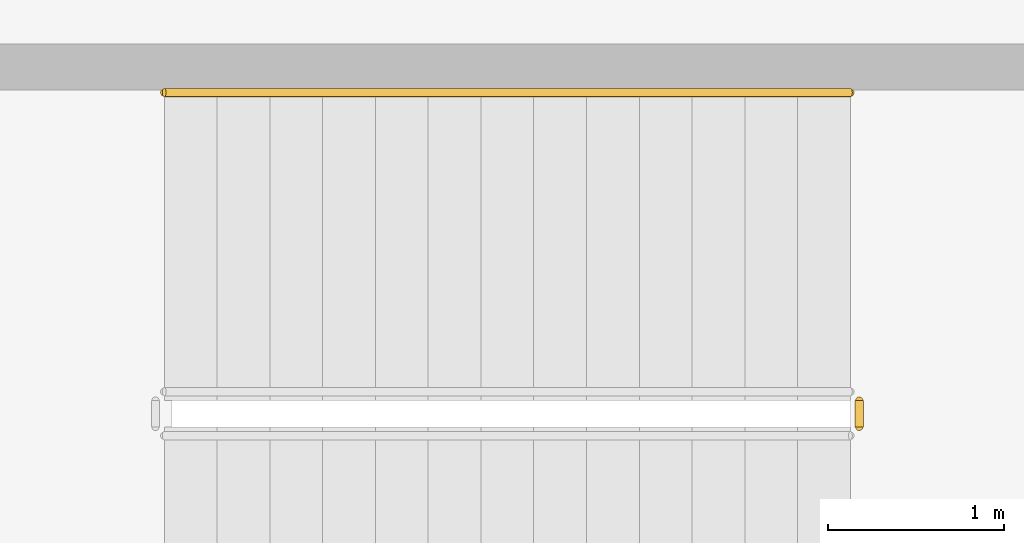
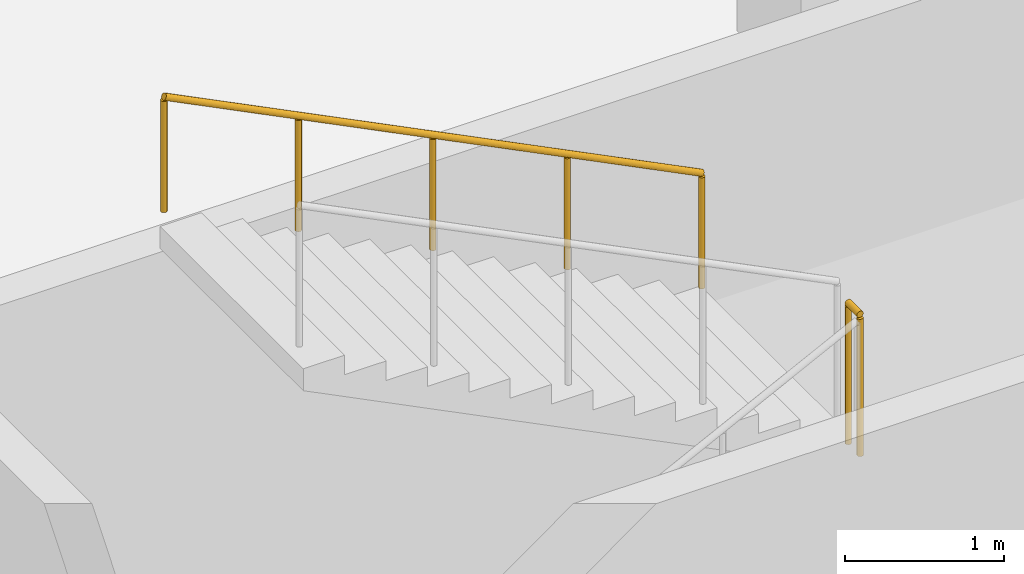
# One storey, part 45 of 47: 2 railings.
"""IFC4 building model written with IfcOpenShell, lengths in metres."""

from ifc_helpers import new_model, si_unit, direction, frame, origin, origin_2d, place, context, subcontext, project, spatial, circle, extrude, material, type_object, element, save


model = new_model("IFC4")

# Units and contexts
model_context = context("Model", 3, precision=1e-05, world=origin(), true_north=direction((0.0, 1.0)))
body_context = subcontext(model_context, "Body", "Model", "MODEL_VIEW")
ifc_project = project(units=[si_unit("LENGTHUNIT", "METRE"), si_unit("AREAUNIT", "SQUARE_METRE"), si_unit("VOLUMEUNIT", "CUBIC_METRE"), si_unit("PLANEANGLEUNIT", "RADIAN"), si_unit("MASSUNIT", "GRAM", prefix="KILO")], contexts=[model_context])

# Site, building, storey
site_placement = place(None, origin())
site = spatial("IfcSite", under=ifc_project, at=site_placement, CompositionType="ELEMENT")
building_placement = place(site_placement, origin())
building = spatial("IfcBuilding", under=site, at=building_placement, Name="Zevrakil Square Congress Hotel", CompositionType="ELEMENT")
storey_placement = place(building_placement, frame((0.0, 0.0, -4.199951171875)))
storey = spatial("IfcBuildingStorey", under=building, at=storey_placement, Name="B1", CompositionType="ELEMENT", Elevation=-4.199951171875)

# Railings
ifc_material_1 = material(Name="Steel S355", Category="steel")
railing_type_1 = type_object("IfcRailingType", Name="RLG-STAIR-GUARD-1100", PredefinedType="BALUSTRADE", material=ifc_material_1)
railing_1_placement = place(storey_placement, frame((61.35009765625, 87.0, 2.099853515625)))
element("IfcRailing", 1, at=railing_1_placement, inside=storey, type_object=railing_type_1, Name="B1 ST05 stair guard 2", PredefinedType="BALUSTRADE", context=body_context, shape_type="SweptSolid", body=[
    extrude(circle(Radius=0.02392578125, at=origin_2d()), frame((0.0, 0.0, 1.076171875), z_axis=(0.0, 1.0, 0.0), x_axis=(-1.0, 0.0, 0.0)), (0.0, 0.0, 1.0), 0.14990234375),
    extrude(circle(Radius=0.02099609375, at=origin_2d()), origin(), (0.0, 0.0, 1.0), 1.052001953125),
    extrude(circle(Radius=0.02099609375, at=origin_2d()), frame((0.0, 0.14990234375, 0.0)), (0.0, 0.0, 1.0), 1.052001953125),
])
ifc_material_2 = material(Name="Steel S355", Category="steel")
railing_type_2 = type_object("IfcRailingType", Name="RLG-STAIR-HAND-900", PredefinedType="HANDRAIL", material=ifc_material_2)
railing_2_placement = place(storey_placement, frame((61.300048828125, 88.89990234375, 2.25)))
element("IfcRailing", 2, at=railing_2_placement, inside=storey, type_object=railing_type_2, Name="B1 ST05 stair handrail 2", PredefinedType="HANDRAIL", context=body_context, shape_type="SweptSolid", body=[
    extrude(circle(Radius=0.02392578125, at=origin_2d()), frame((0.0, 0.0, 0.8759765625), z_axis=(-0.894438388696, 0.0, 0.447191199406), x_axis=(0.0, -1.0, 0.0)), (0.0, 0.0, 1.0), 4.3603515625),
    extrude(circle(Radius=0.02099609375, at=origin_2d()), origin(), (0.0, 0.0, 1.0), 0.851806640625),
    extrude(circle(Radius=0.02099609375, at=origin_2d()), frame((-0.97509765625, 0.0, 0.487548828125)), (0.0, 0.0, 1.0), 0.851806640625),
    extrude(circle(Radius=0.02099609375, at=origin_2d()), frame((-1.9501953125, 0.0, 0.97509765625)), (0.0, 0.0, 1.0), 0.851806640625),
    extrude(circle(Radius=0.02099609375, at=origin_2d()), frame((-2.925048828125, 0.0, 1.46240234375)), (0.0, 0.0, 1.0), 0.851806640625),
    extrude(circle(Radius=0.02099609375, at=origin_2d()), frame((-3.900146484375, 0.0, 1.949951171875)), (0.0, 0.0, 1.0), 0.851806640625),
])

save(model, "model.ifc")
